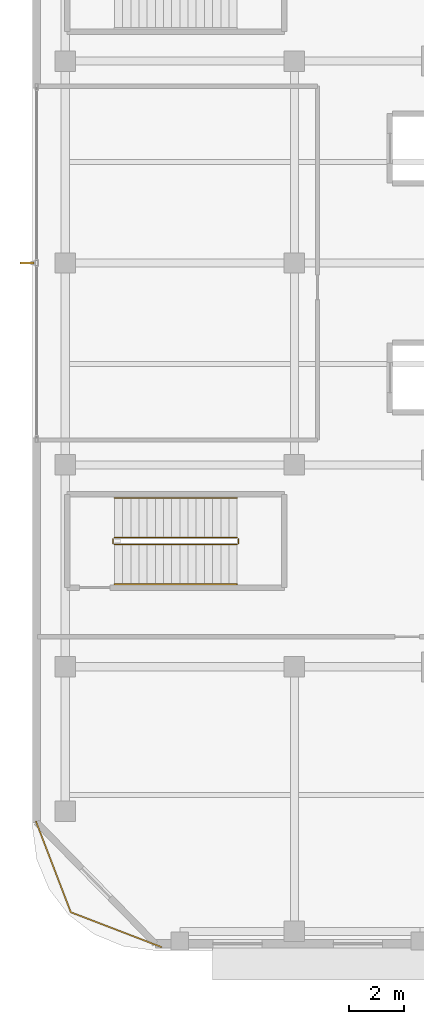
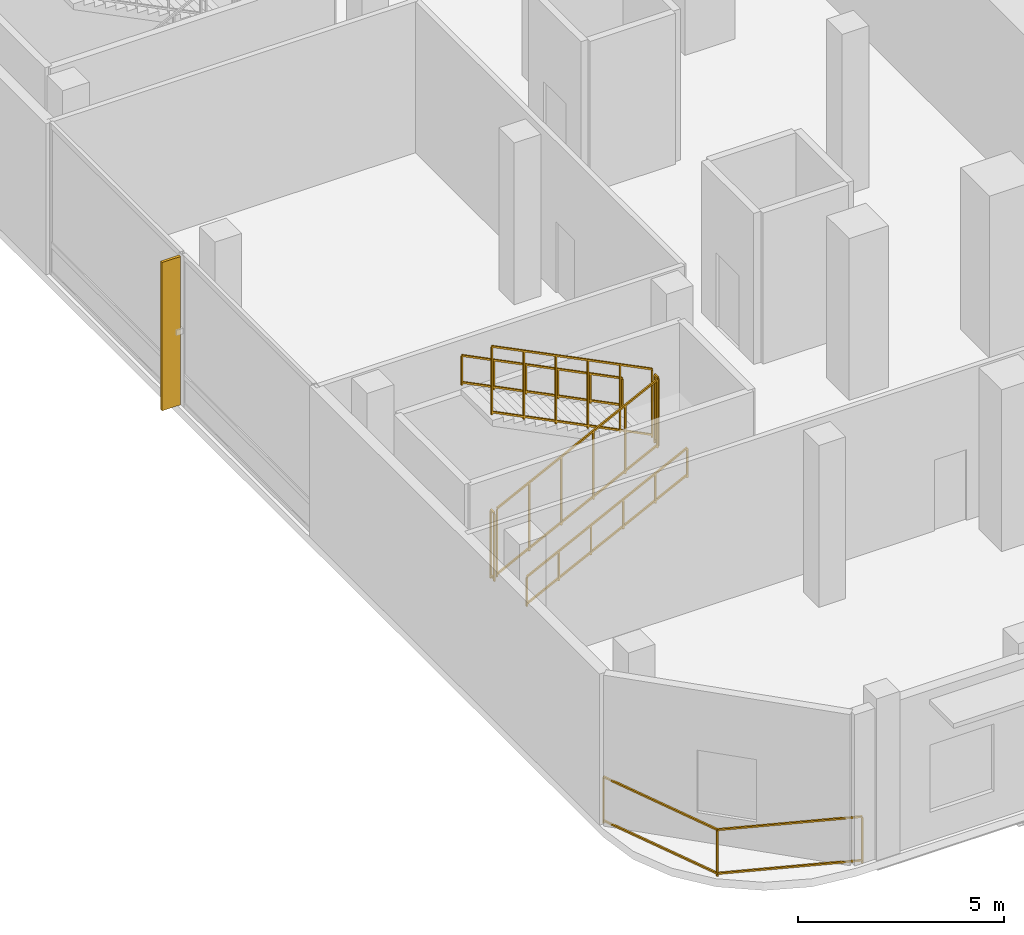
# One storey, part 14 of 19: 7 railings, 1 shading device.
"""IFC4 building model written with IfcOpenShell, lengths in metres."""

from ifc_helpers import new_model, si_unit, direction, frame, origin, origin_2d, place, context, subcontext, project, spatial, rectangle, extrude, material, layer, layer_set, type_object, element, save


model = new_model("IFC4")

# Units and contexts
model_context = context("Model", 3, precision=1e-05, world=origin(), true_north=direction((0.0, 1.0)))
body_context = subcontext(model_context, "Body", "Model", "MODEL_VIEW")
ifc_project = project(units=[si_unit("LENGTHUNIT", "METRE"), si_unit("AREAUNIT", "SQUARE_METRE"), si_unit("VOLUMEUNIT", "CUBIC_METRE"), si_unit("PLANEANGLEUNIT", "RADIAN"), si_unit("MASSUNIT", "GRAM", prefix="KILO")], contexts=[model_context])

# Site, building, storey
site_placement = place(None, origin())
site = spatial("IfcSite", under=ifc_project, at=site_placement, CompositionType="ELEMENT")
building_placement = place(site_placement, origin())
building = spatial("IfcBuilding", under=site, at=building_placement, Name="Khorvyn Point Tower", CompositionType="ELEMENT")
storey_placement = place(building_placement, frame((0.0, 0.0, 21.60009765625)))
storey = spatial("IfcBuildingStorey", under=building, at=storey_placement, Name="L06", CompositionType="ELEMENT", Elevation=21.60009765625)

# Shading device
ifc_material_1 = material(Name="Bronze anodised aluminium 6063-T6", Category="aluminium")
ifc_layer = layer(ifc_material_1, 0.074951171875)
ifc_layer_set = layer_set([ifc_layer], Name="Bronze Anodised Aluminium FIN 520x75")
shading_device_type = type_object("IfcShadingDeviceType", Name="Bronze Anodised Aluminium FIN 520x75", PredefinedType="USERDEFINED", material=ifc_layer_set)
shading_device_placement = place(storey_placement, frame((-33.800048828125, 0.0, 0.0400390625), z_axis=(0.0, 0.0, 1.0), x_axis=(-1.0, 0.0, 0.0)))
element("IfcShadingDevice", 1, at=shading_device_placement, inside=storey, type_object=shading_device_type, Name="L06 Anodised FIN 01", ObjectType="FIN", PredefinedType="USERDEFINED", context=body_context, shape_type="SweptSolid", body=[
    extrude(rectangle(XDim=0.52001953125, YDim=0.074951171875, at=origin_2d()), origin(), (0.0, 0.0, 1.0), 4.39990234375),
])

# Railings
ifc_material_2 = material(Name="Anodised aluminium 6063-T6 and laminated safety glass", Category="aluminium")
railing_type_1 = type_object("IfcRailingType", Name="Laminated Glass and Aluminium Balcony Guardrail 1400", PredefinedType="BALUSTRADE", material=ifc_material_2)
railing_1_placement = place(storey_placement, frame((-33.47412109375, -20.470703125, 0.0)))
element("IfcRailing", 2, at=railing_1_placement, inside=storey, type_object=railing_type_1, Name="L06 Rounded Corner Edge Guardrail SW", PredefinedType="BALUSTRADE", context=body_context, shape_type="SweptSolid", body=[
    extrude(rectangle(XDim=0.048095703125, YDim=0.048095703125, at=origin_2d()), frame((0.0, 0.0, 1.3759765625), z_axis=(0.35841886047, -0.933560882031, 0.0), x_axis=(0.933560882031, 0.35841886047, 0.0)), (0.0, 0.0, 1.0), 3.563232421875),
    extrude(rectangle(XDim=0.048095703125, YDim=0.048095703125, at=origin_2d()), frame((0.0, 0.0, 0.080078125), z_axis=(0.35841886047, -0.933560882031, 0.0), x_axis=(0.933560882031, 0.35841886047, 0.0)), (0.0, 0.0, 1.0), 3.563232421875),
    extrude(rectangle(XDim=0.048095703125, YDim=0.048095703125, at=origin_2d()), frame((1.277099609375, -3.326416015625, 1.3759765625), z_axis=(0.933575007025, -0.358382067435, 0.0), x_axis=(0.358382067435, 0.933575007025, 0.0)), (0.0, 0.0, 1.0), 3.562744140625),
    extrude(rectangle(XDim=0.048095703125, YDim=0.048095703125, at=origin_2d()), frame((1.277099609375, -3.326416015625, 0.080078125), z_axis=(0.933575007025, -0.358382067435, 0.0), x_axis=(0.358382067435, 0.933575007025, 0.0)), (0.0, 0.0, 1.0), 3.562744140625),
    extrude(rectangle(XDim=0.0419921875, YDim=0.0419921875, at=origin_2d()), origin(), (0.0, 0.0, 1.0), 1.351806640625),
    extrude(rectangle(XDim=0.0419921875, YDim=0.0419921875, at=origin_2d()), frame((1.277099609375, -3.326416015625, 0.0)), (0.0, 0.0, 1.0), 1.351806640625),
    extrude(rectangle(XDim=0.0419921875, YDim=0.0419921875, at=origin_2d()), frame((4.603271484375, -4.603271484375, 0.0)), (0.0, 0.0, 1.0), 1.351806640625),
])
ifc_material_3 = material(Name="Stainless steel 1.4301", Category="steel")
railing_type_2 = type_object("IfcRailingType", Name="Stainless Steel 304 Stair Pitch Handrail 900", PredefinedType="HANDRAIL", material=ifc_material_3)
railing_2_placement = place(storey_placement, frame((-30.60009765625, -11.77001953125, 0.14990234375)))
element("IfcRailing", 3, at=railing_2_placement, inside=storey, type_object=railing_type_2, Name="L06 ST-S1 stair handrail 1", PredefinedType="HANDRAIL", context=body_context, shape_type="SweptSolid", body=[
    extrude(rectangle(XDim=0.048095703125, YDim=0.048095703125, at=origin_2d()), frame((0.0, 0.0, 0.8759765625), z_axis=(0.894427191, 0.0, 0.4472135955), x_axis=(0.0, 1.0, 0.0)), (0.0, 0.0, 1.0), 5.03125),
    extrude(rectangle(XDim=0.048095703125, YDim=0.048095703125, at=origin_2d()), frame((0.0, 0.0, 0.080078125), z_axis=(0.894427191, 0.0, 0.4472135955), x_axis=(0.0, 1.0, 0.0)), (0.0, 0.0, 1.0), 5.03125),
    extrude(rectangle(XDim=0.0419921875, YDim=0.0419921875, at=origin_2d()), origin(), (0.0, 0.0, 1.0), 0.851806640625),
    extrude(rectangle(XDim=0.0419921875, YDim=0.0419921875, at=origin_2d()), frame((0.89990234375, 0.0, 0.449951171875)), (0.0, 0.0, 1.0), 0.851806640625),
    extrude(rectangle(XDim=0.0419921875, YDim=0.0419921875, at=origin_2d()), frame((1.800048828125, 0.0, 0.89990234375)), (0.0, 0.0, 1.0), 0.851806640625),
    extrude(rectangle(XDim=0.0419921875, YDim=0.0419921875, at=origin_2d()), frame((2.699951171875, 0.0, 1.35009765625)), (0.0, 0.0, 1.0), 0.851806640625),
    extrude(rectangle(XDim=0.0419921875, YDim=0.0419921875, at=origin_2d()), frame((3.60009765625, 0.0, 1.800048828125)), (0.0, 0.0, 1.0), 0.851806640625),
    extrude(rectangle(XDim=0.0419921875, YDim=0.0419921875, at=origin_2d()), frame((4.5, 0.0, 2.25)), (0.0, 0.0, 1.0), 0.851806640625),
])
railing_3_placement = place(storey_placement, frame((-26.10009765625, -8.610107421875, 2.5498046875)))
element("IfcRailing", 4, at=railing_3_placement, inside=storey, type_object=railing_type_2, Name="L06 ST-S1 stair handrail 2", PredefinedType="HANDRAIL", context=body_context, shape_type="SweptSolid", body=[
    extrude(rectangle(XDim=0.048095703125, YDim=0.048095703125, at=origin_2d()), frame((0.0, 0.0, 0.8759765625), z_axis=(-0.894427191, 0.0, 0.4472135955), x_axis=(0.0, -1.0, 0.0)), (0.0, 0.0, 1.0), 5.03125),
    extrude(rectangle(XDim=0.048095703125, YDim=0.048095703125, at=origin_2d()), frame((0.0, 0.0, 0.080078125), z_axis=(-0.894427191, 0.0, 0.4472135955), x_axis=(0.0, -1.0, 0.0)), (0.0, 0.0, 1.0), 5.03125),
    extrude(rectangle(XDim=0.0419921875, YDim=0.0419921875, at=origin_2d()), origin(), (0.0, 0.0, 1.0), 0.851806640625),
    extrude(rectangle(XDim=0.0419921875, YDim=0.0419921875, at=origin_2d()), frame((-0.89990234375, 0.0, 0.449951171875)), (0.0, 0.0, 1.0), 0.851806640625),
    extrude(rectangle(XDim=0.0419921875, YDim=0.0419921875, at=origin_2d()), frame((-1.800048828125, 0.0, 0.89990234375)), (0.0, 0.0, 1.0), 0.851806640625),
    extrude(rectangle(XDim=0.0419921875, YDim=0.0419921875, at=origin_2d()), frame((-2.699951171875, 0.0, 1.35009765625)), (0.0, 0.0, 1.0), 0.851806640625),
    extrude(rectangle(XDim=0.0419921875, YDim=0.0419921875, at=origin_2d()), frame((-3.60009765625, 0.0, 1.800048828125)), (0.0, 0.0, 1.0), 0.851806640625),
    extrude(rectangle(XDim=0.0419921875, YDim=0.0419921875, at=origin_2d()), frame((-4.5, 0.0, 2.25)), (0.0, 0.0, 1.0), 0.851806640625),
])
railing_type_3 = type_object("IfcRailingType", Name="Stainless Steel 304 Stair Well Guardrail 1400", PredefinedType="GUARDRAIL", material=ifc_material_3)
railing_4_placement = place(storey_placement, frame((-30.60009765625, -10.320068359375, 0.14990234375)))
element("IfcRailing", 5, at=railing_4_placement, inside=storey, type_object=railing_type_3, Name="L06 ST-S1 stair guard 1", PredefinedType="GUARDRAIL", context=body_context, shape_type="SweptSolid", body=[
    extrude(rectangle(XDim=0.048095703125, YDim=0.048095703125, at=origin_2d()), frame((0.0, 0.0, 2.02587890625), z_axis=(0.894427191, 0.0, 0.4472135955), x_axis=(0.0, 1.0, 0.0)), (0.0, 0.0, 1.0), 5.03125),
    extrude(rectangle(XDim=0.048095703125, YDim=0.048095703125, at=origin_2d()), frame((0.0, 0.0, 0.080078125), z_axis=(0.894427191, 0.0, 0.4472135955), x_axis=(0.0, 1.0, 0.0)), (0.0, 0.0, 1.0), 5.03125),
    extrude(rectangle(XDim=0.0419921875, YDim=0.0419921875, at=origin_2d()), origin(), (0.0, 0.0, 1.0), 2.001953125),
    extrude(rectangle(XDim=0.0419921875, YDim=0.0419921875, at=origin_2d()), frame((0.89990234375, 0.0, 0.449951171875)), (0.0, 0.0, 1.0), 2.001953125),
    extrude(rectangle(XDim=0.0419921875, YDim=0.0419921875, at=origin_2d()), frame((1.800048828125, 0.0, 0.89990234375)), (0.0, 0.0, 1.0), 2.001953125),
    extrude(rectangle(XDim=0.0419921875, YDim=0.0419921875, at=origin_2d()), frame((2.699951171875, 0.0, 1.35009765625)), (0.0, 0.0, 1.0), 2.001953125),
    extrude(rectangle(XDim=0.0419921875, YDim=0.0419921875, at=origin_2d()), frame((3.60009765625, 0.0, 1.800048828125)), (0.0, 0.0, 1.0), 2.001953125),
    extrude(rectangle(XDim=0.0419921875, YDim=0.0419921875, at=origin_2d()), frame((4.5, 0.0, 2.25)), (0.0, 0.0, 1.0), 2.001953125),
])
railing_5_placement = place(storey_placement, frame((-26.050048828125, -10.27001953125, 2.39990234375)))
element("IfcRailing", 6, at=railing_5_placement, inside=storey, type_object=railing_type_3, Name="L06 ST-S1 stair guard 2", PredefinedType="GUARDRAIL", context=body_context, shape_type="SweptSolid", body=[
    extrude(rectangle(XDim=0.048095703125, YDim=0.048095703125, at=origin_2d()), frame((0.0, 0.0, 2.02587890625), z_axis=(0.0, 1.0, 0.0), x_axis=(-1.0, 0.0, 0.0)), (0.0, 0.0, 1.0), 0.159912109375),
    extrude(rectangle(XDim=0.048095703125, YDim=0.048095703125, at=origin_2d()), frame((0.0, 0.0, 0.080078125), z_axis=(0.0, 1.0, 0.0), x_axis=(-1.0, 0.0, 0.0)), (0.0, 0.0, 1.0), 0.159912109375),
    extrude(rectangle(XDim=0.0419921875, YDim=0.0419921875, at=origin_2d()), origin(), (0.0, 0.0, 1.0), 2.001953125),
    extrude(rectangle(XDim=0.0419921875, YDim=0.0419921875, at=origin_2d()), frame((0.0, 0.159912109375, 0.0)), (0.0, 0.0, 1.0), 2.001953125),
])
railing_6_placement = place(storey_placement, frame((-26.10009765625, -10.06005859375, 2.5498046875)))
element("IfcRailing", 7, at=railing_6_placement, inside=storey, type_object=railing_type_3, Name="L06 ST-S1 stair guard 3", PredefinedType="GUARDRAIL", context=body_context, shape_type="SweptSolid", body=[
    extrude(rectangle(XDim=0.048095703125, YDim=0.048095703125, at=origin_2d()), frame((0.0, 0.0, 2.02587890625), z_axis=(-0.894427191, 0.0, 0.4472135955), x_axis=(0.0, -1.0, 0.0)), (0.0, 0.0, 1.0), 5.03125),
    extrude(rectangle(XDim=0.048095703125, YDim=0.048095703125, at=origin_2d()), frame((0.0, 0.0, 0.080078125), z_axis=(-0.894427191, 0.0, 0.4472135955), x_axis=(0.0, -1.0, 0.0)), (0.0, 0.0, 1.0), 5.03125),
    extrude(rectangle(XDim=0.0419921875, YDim=0.0419921875, at=origin_2d()), origin(), (0.0, 0.0, 1.0), 2.001953125),
    extrude(rectangle(XDim=0.0419921875, YDim=0.0419921875, at=origin_2d()), frame((-0.89990234375, 0.0, 0.449951171875)), (0.0, 0.0, 1.0), 2.001953125),
    extrude(rectangle(XDim=0.0419921875, YDim=0.0419921875, at=origin_2d()), frame((-1.800048828125, 0.0, 0.89990234375)), (0.0, 0.0, 1.0), 2.001953125),
    extrude(rectangle(XDim=0.0419921875, YDim=0.0419921875, at=origin_2d()), frame((-2.699951171875, 0.0, 1.35009765625)), (0.0, 0.0, 1.0), 2.001953125),
    extrude(rectangle(XDim=0.0419921875, YDim=0.0419921875, at=origin_2d()), frame((-3.60009765625, 0.0, 1.800048828125)), (0.0, 0.0, 1.0), 2.001953125),
    extrude(rectangle(XDim=0.0419921875, YDim=0.0419921875, at=origin_2d()), frame((-4.5, 0.0, 2.25)), (0.0, 0.0, 1.0), 2.001953125),
])
railing_7_placement = place(storey_placement, frame((-30.64990234375, -10.27001953125, 0.0)))
element("IfcRailing", 8, at=railing_7_placement, inside=storey, type_object=railing_type_3, Name="L06 ST-S1 stair guard 4", PredefinedType="GUARDRAIL", context=body_context, shape_type="SweptSolid", body=[
    extrude(rectangle(XDim=0.048095703125, YDim=0.048095703125, at=origin_2d()), frame((0.0, 0.0, 2.02587890625), z_axis=(0.0, 1.0, 0.0), x_axis=(-1.0, 0.0, 0.0)), (0.0, 0.0, 1.0), 0.159912109375),
    extrude(rectangle(XDim=0.048095703125, YDim=0.048095703125, at=origin_2d()), frame((0.0, 0.0, 0.080078125), z_axis=(0.0, 1.0, 0.0), x_axis=(-1.0, 0.0, 0.0)), (0.0, 0.0, 1.0), 0.159912109375),
    extrude(rectangle(XDim=0.0419921875, YDim=0.0419921875, at=origin_2d()), origin(), (0.0, 0.0, 1.0), 2.001953125),
    extrude(rectangle(XDim=0.0419921875, YDim=0.0419921875, at=origin_2d()), frame((0.0, 0.159912109375, 0.0)), (0.0, 0.0, 1.0), 2.001953125),
])

save(model, "model.ifc")
